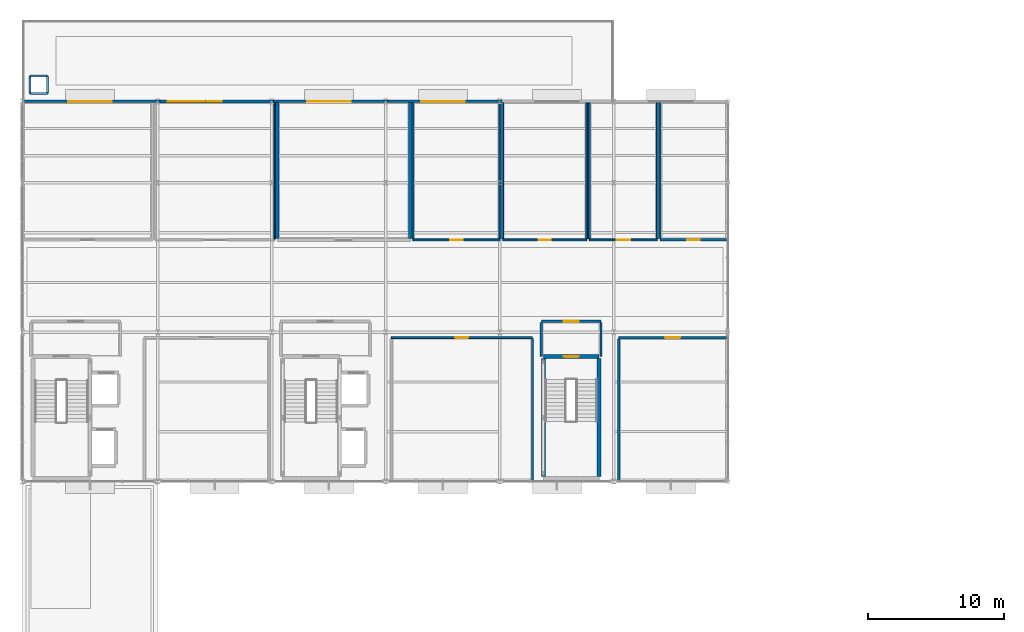
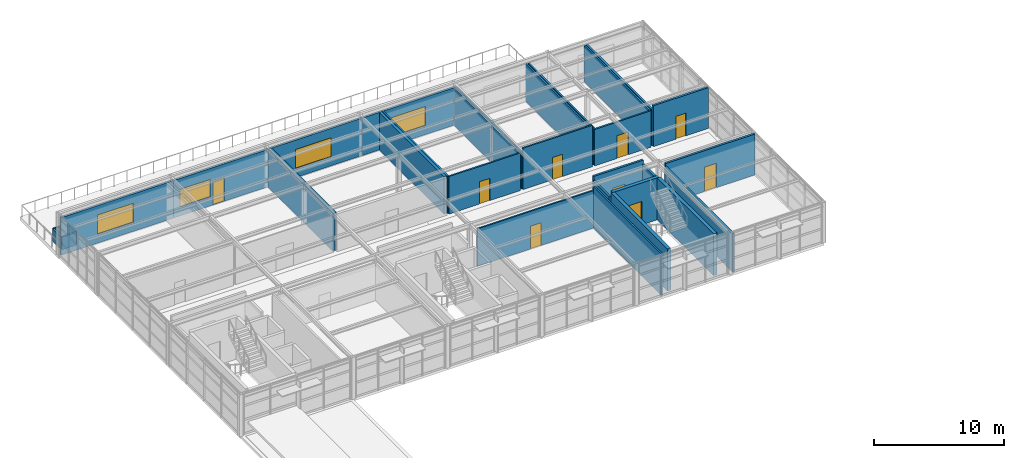
# One storey, part 18 of 21: 32 walls, 9 doors, 4 windows, 13 openings.
"""IFC4 building model written with IfcOpenShell, lengths in metres."""

from ifc_helpers import new_model, si_unit, direction, frame, frame_2d, origin, place, context, subcontext, project, spatial, rectangle, extrude, material, layer, layer_set, type_object, element, fill, save


model = new_model("IFC4")

# Units and contexts
model_context = context("Model", 3, precision=1e-05, world=origin(), true_north=direction((0.0, 1.0)))
body_context = subcontext(model_context, "Body", "Model", "MODEL_VIEW")
ifc_project = project(units=[si_unit("LENGTHUNIT", "METRE"), si_unit("AREAUNIT", "SQUARE_METRE"), si_unit("VOLUMEUNIT", "CUBIC_METRE"), si_unit("PLANEANGLEUNIT", "RADIAN"), si_unit("MASSUNIT", "GRAM", prefix="KILO")], contexts=[model_context])

# Site, building, storey
site_placement = place(None, origin())
site = spatial("IfcSite", under=ifc_project, at=site_placement, CompositionType="ELEMENT")
building_placement = place(site_placement, origin())
building = spatial("IfcBuilding", under=site, at=building_placement, Name="Sitalva Quay Ferry Terminal", CompositionType="ELEMENT")
storey_placement = place(building_placement, frame((0.0, 0.0, 14.39990234375)))
storey = spatial("IfcBuildingStorey", under=building, at=storey_placement, Name="L04", CompositionType="ELEMENT", Elevation=14.39990234375)

# Wall, opening, door
ifc_material_1 = material(Name="Concrete C40/50", Category="concrete")
ifc_layer_1 = layer(ifc_material_1, 0.300048828125)
ifc_layer_set_1 = layer_set([ifc_layer_1], Name="Concrete C40/50")
wall_type_1 = type_object("IfcWallType", Name="Wall_CoreShear_300", PredefinedType="SHEAR", material=ifc_layer_set_1)
wall_1_placement = place(storey_placement, frame((112.39990234375, 87.199951171875, 0.0), z_axis=(0.0, 0.0, 1.0), x_axis=(1.0, 0.0, 0.0)))
wall_1 = element("IfcWall", 1, at=wall_1_placement, inside=storey, type_object=wall_type_1, Name="Core C4 L04 north shear wall", PredefinedType="SHEAR", context=body_context, shape_type="SweptSolid", body=[
    extrude(rectangle(XDim=4.10009765625, YDim=0.300048828125, at=frame_2d((2.050048828125, 0.0))), origin(), (0.0, 0.0, 1.0), 3.9501953125),
])
opening_1_placement = place(wall_1_placement, frame((1.5, 0.0, 0.0)))
opening_1 = element("IfcOpeningElement", 2, at=opening_1_placement, cuts=wall_1, Name="Opening D-L04-014", PredefinedType="OPENING", context=body_context, shape_type="SweptSolid", body=[
    extrude(rectangle(XDim=1.10009765625, YDim=2.199951171875, at=frame_2d((0.550048828125, 1.10009765625))), frame((0.0, 0.159912109375, 0.0), z_axis=(0.0, -1.0, 0.0), x_axis=(1.0, 0.0, 0.0)), (0.0, 0.0, 1.0), 0.320068359375),
])
ifc_material_2 = material(Name="Galvanised Steel Fire Door", Category="steel")
door_type_1 = type_object("IfcDoorType", Name="Door_CoreExit_1100x2200", OperationType="SINGLE_SWING_LEFT", PredefinedType="DOOR", material=ifc_material_2)
door_1_placement = place(opening_1_placement, origin())
door_1 = element("IfcDoor", 3, at=door_1_placement, inside=storey, type_object=door_type_1, Name="DOOR-D-L04-014 Protected stair ST-04 door D-L04-014", OperationType="SINGLE_SWING_RIGHT", OverallHeight=2.199951171875, OverallWidth=1.10009765625, PredefinedType="DOOR", context=body_context, shape_type="SweptSolid", body=[
    extrude(rectangle(XDim=1.10009765625, YDim=2.199951171875, at=frame_2d((0.550048828125, 1.10009765625))), frame((0.0, 0.02490234375, 0.0), z_axis=(0.0, -1.0, 0.0), x_axis=(1.0, 0.0, 0.0)), (0.0, 0.0, 1.0), 0.050048828125),
])
fill(opening_1, door_1)

# Walls
for number, where, z_axis, x_axis, name in (
    (4, (112.39990234375, 78.35009765625, 0.0), (0.0, 0.0, 1.0), (0.0, 1.0, 0.0), "Core C4 L04 west shear wall"),
    (5, (116.5, 78.35009765625, 0.0), (0.0, 0.0, 1.0), (0.0, 1.0, 0.0), "Core C4 L04 east shear wall"),
):
    element("IfcWall", number, at=place(storey_placement, frame(where, z_axis=z_axis, x_axis=x_axis)), inside=storey, type_object=wall_type_1, Name=name, PredefinedType="SHEAR", context=body_context, shape_type="SweptSolid", body=[
        extrude(rectangle(XDim=8.699951171875, YDim=0.300048828125, at=frame_2d((4.35009765625, 0.0))), origin(), (0.0, 0.0, 1.0), 3.9501953125),
    ])

# Wall, opening, window
ifc_material_3 = material(Name="Architectural Concrete C40/50", Category="concrete")
ifc_layer_2 = layer(ifc_material_3, 0.18994140625)
ifc_layer_set_2 = layer_set([ifc_layer_2], Name="Architectural Concrete C40/50")
wall_type_2 = type_object("IfcWallType", Name="Wall_ExtSpandrel_190", PredefinedType="SOLIDWALL", material=ifc_layer_set_2)
wall_2_placement = place(storey_placement, frame((74.137939453125, 106.0, 0.0), z_axis=(0.0, 0.0, 1.0), x_axis=(1.0, 0.0, 0.0)))
wall_2 = element("IfcWall", 6, at=wall_2_placement, inside=storey, type_object=wall_type_2, Name="L04 pilotage north ribbon facade EW-L04-183", PredefinedType="SOLIDWALL", context=body_context, shape_type="SweptSolid", body=[
    extrude(rectangle(XDim=10.011962890625, YDim=0.18994140625, at=frame_2d((5.005859375, 0.0))), origin(), (0.0, 0.0, 1.0), 3.531005859375),
])
opening_2_placement = place(wall_2_placement, frame((3.261962890625, 0.0, 0.85009765625)))
opening_2 = element("IfcOpeningElement", 7, at=opening_2_placement, cuts=wall_2, Name="Opening WN-L04-069", PredefinedType="OPENING", context=body_context, shape_type="SweptSolid", body=[
    extrude(rectangle(XDim=3.199951171875, YDim=1.800048828125, at=frame_2d((1.60009765625, 0.89990234375))), frame((0.0, 0.10498046875, 0.0), z_axis=(0.0, -1.0, 0.0), x_axis=(1.0, 0.0, 0.0)), (0.0, 0.0, 1.0), 0.2099609375),
])
ifc_material_4 = material(Name="Anti-Glare Marine Bridge Glazing", Category="glass")
window_type_1 = type_object("IfcWindowType", Name="Win_VTS_3200x1800", PartitioningType="SINGLE_PANEL", PredefinedType="WINDOW", material=ifc_material_4)
window_1_placement = place(opening_2_placement, origin())
window_1 = element("IfcWindow", 8, at=window_1_placement, inside=storey, type_object=window_type_1, Name="L04 radar/pilotage north window WN-L04-069", OverallHeight=1.800048828125, OverallWidth=3.199951171875, PartitioningType="SINGLE_PANEL", PredefinedType="WINDOW", context=body_context, shape_type="SweptSolid", body=[
    extrude(rectangle(XDim=3.199951171875, YDim=1.800048828125, at=frame_2d((1.60009765625, 0.89990234375))), frame((0.0, 0.030029296875, 0.0), z_axis=(0.0, -1.0, 0.0), x_axis=(1.0, 0.0, 0.0)), (0.0, 0.0, 1.0), 0.06005859375),
])
fill(opening_2, window_1)

wall_3_placement = place(storey_placement, frame((92.5380859375, 106.0, 0.0), z_axis=(0.0, 0.0, 1.0), x_axis=(1.0, 0.0, 0.0)))
wall_3 = element("IfcWall", 9, at=wall_3_placement, inside=storey, type_object=wall_type_2, Name="L04 pilotage north ribbon facade EW-L04-185", PredefinedType="SOLIDWALL", context=body_context, shape_type="SweptSolid", body=[
    extrude(rectangle(XDim=8.411865234375, YDim=0.18994140625, at=frame_2d((4.2060546875, 0.0))), origin(), (0.0, 0.0, 1.0), 3.531005859375),
])
opening_3_placement = place(wall_3_placement, frame((2.4619140625, 0.0, 0.85009765625)))
opening_3 = element("IfcOpeningElement", 10, at=opening_3_placement, cuts=wall_3, Name="Opening WN-L04-071", PredefinedType="OPENING", context=body_context, shape_type="SweptSolid", body=[
    extrude(rectangle(XDim=3.199951171875, YDim=1.800048828125, at=frame_2d((1.60009765625, 0.89990234375))), frame((0.0, 0.10498046875, 0.0), z_axis=(0.0, -1.0, 0.0), x_axis=(1.0, 0.0, 0.0)), (0.0, 0.0, 1.0), 0.2099609375),
])
window_2_placement = place(opening_3_placement, origin())
window_2 = element("IfcWindow", 11, at=window_2_placement, inside=storey, type_object=window_type_1, Name="L04 radar/pilotage north window WN-L04-071", OverallHeight=1.800048828125, OverallWidth=3.199951171875, PartitioningType="SINGLE_PANEL", PredefinedType="WINDOW", context=body_context, shape_type="SweptSolid", body=[
    extrude(rectangle(XDim=3.199951171875, YDim=1.800048828125, at=frame_2d((1.60009765625, 0.89990234375))), frame((0.0, 0.030029296875, 0.0), z_axis=(0.0, -1.0, 0.0), x_axis=(1.0, 0.0, 0.0)), (0.0, 0.0, 1.0), 0.06005859375),
])
fill(opening_3, window_2)

wall_4_placement = place(storey_placement, frame((100.93798828125, 106.0, 0.0), z_axis=(0.0, 0.0, 1.0), x_axis=(1.0, 0.0, 0.0)))
wall_4 = element("IfcWall", 12, at=wall_4_placement, inside=storey, type_object=wall_type_2, Name="L04 pilotage north ribbon facade EW-L04-186", PredefinedType="SOLIDWALL", context=body_context, shape_type="SweptSolid", body=[
    extrude(rectangle(XDim=8.412109375, YDim=0.18994140625, at=frame_2d((4.2060546875, 0.0))), origin(), (0.0, 0.0, 1.0), 3.531005859375),
])
opening_4_placement = place(wall_4_placement, frame((2.4619140625, 0.0, 0.85009765625)))
opening_4 = element("IfcOpeningElement", 13, at=opening_4_placement, cuts=wall_4, Name="Opening WN-L04-072", PredefinedType="OPENING", context=body_context, shape_type="SweptSolid", body=[
    extrude(rectangle(XDim=3.199951171875, YDim=1.800048828125, at=frame_2d((1.60009765625, 0.89990234375))), frame((0.0, 0.10498046875, 0.0), z_axis=(0.0, -1.0, 0.0), x_axis=(1.0, 0.0, 0.0)), (0.0, 0.0, 1.0), 0.2099609375),
])
window_3_placement = place(opening_4_placement, origin())
window_3 = element("IfcWindow", 14, at=window_3_placement, inside=storey, type_object=window_type_1, Name="L04 radar/pilotage north window WN-L04-072", OverallHeight=1.800048828125, OverallWidth=3.199951171875, PartitioningType="SINGLE_PANEL", PredefinedType="WINDOW", context=body_context, shape_type="SweptSolid", body=[
    extrude(rectangle(XDim=3.199951171875, YDim=1.800048828125, at=frame_2d((1.60009765625, 0.89990234375))), frame((0.0, 0.030029296875, 0.0), z_axis=(0.0, -1.0, 0.0), x_axis=(1.0, 0.0, 0.0)), (0.0, 0.0, 1.0), 0.06005859375),
])
fill(opening_4, window_3)

# Wall, openings, door, window
ifc_material_5 = material(Name="Architectural Concrete C40/50", Category="concrete")
ifc_layer_3 = layer(ifc_material_5, 0.205078125)
ifc_layer_set_3 = layer_set([ifc_layer_3], Name="Architectural Concrete C40/50")
wall_type_3 = type_object("IfcWallType", Name="Wall_ExtTerrace_205", PredefinedType="SOLIDWALL", material=ifc_layer_set_3)
wall_5_placement = place(storey_placement, frame((84.137939453125, 106.0, 0.0), z_axis=(0.0, 0.0, 1.0), x_axis=(1.0, 0.0, 0.0)))
wall_5 = element("IfcWall", 15, at=wall_5_placement, inside=storey, type_object=wall_type_3, Name="L04 north roof-garden portal wall EW-L04-184", PredefinedType="SOLIDWALL", context=body_context, shape_type="SweptSolid", body=[
    extrude(rectangle(XDim=8.412109375, YDim=0.205078125, at=frame_2d((4.2060546875, 0.0))), origin(), (0.0, 0.0, 1.0), 3.531005859375),
])
opening_5_placement = place(wall_5_placement, frame((3.511962890625, 0.0, 0.0)))
opening_5 = element("IfcOpeningElement", 16, at=opening_5_placement, cuts=wall_5, Name="Opening ED-L04-042", PredefinedType="OPENING", context=body_context, shape_type="SweptSolid", body=[
    extrude(rectangle(XDim=1.050048828125, YDim=2.199951171875, at=frame_2d((0.52490234375, 1.10009765625))), frame((0.0, 0.112548828125, 0.0), z_axis=(0.0, -1.0, 0.0), x_axis=(1.0, 0.0, 0.0)), (0.0, 0.0, 1.0), 0.22509765625),
])
opening_6_placement = place(wall_5_placement, frame((0.612060546875, 0.0, 0.85009765625)))
opening_6 = element("IfcOpeningElement", 17, at=opening_6_placement, cuts=wall_5, Name="Opening WN-L04-070", PredefinedType="OPENING", context=body_context, shape_type="SweptSolid", body=[
    extrude(rectangle(XDim=2.699951171875, YDim=1.64990234375, at=frame_2d((1.35009765625, 0.824951171875))), frame((0.0, 0.112548828125, 0.0), z_axis=(0.0, -1.0, 0.0), x_axis=(1.0, 0.0, 0.0)), (0.0, 0.0, 1.0), 0.22509765625),
])
ifc_material_6 = material(Name="Anodised Aluminium & Low-E Glass", Category="aluminium")
door_type_2 = type_object("IfcDoorType", Name="Door_TerraceSingle_1050x2200", OperationType="SINGLE_SWING_LEFT", PredefinedType="DOOR", material=ifc_material_6)
door_2_placement = place(opening_5_placement, origin())
door_2 = element("IfcDoor", 18, at=door_2_placement, inside=storey, type_object=door_type_2, Name="EDOOR-ED-L04-042 L04 north roof garden access door ED-L04-042", OperationType="SINGLE_SWING_LEFT", OverallHeight=2.199951171875, OverallWidth=1.050048828125, PredefinedType="DOOR", context=body_context, shape_type="SweptSolid", body=[
    extrude(rectangle(XDim=1.050048828125, YDim=2.199951171875, at=frame_2d((0.52490234375, 1.10009765625))), frame((0.0, 0.02490234375, 0.0), z_axis=(0.0, -1.0, 0.0), x_axis=(1.0, 0.0, 0.0)), (0.0, 0.0, 1.0), 0.050048828125),
])
fill(opening_5, door_2)
ifc_material_7 = material(Name="Anti-Glare Marine Bridge Glazing", Category="glass")
window_type_2 = type_object("IfcWindowType", Name="Win_Pilot_2700x1650", PartitioningType="SINGLE_PANEL", PredefinedType="WINDOW", material=ifc_material_7)
window_4_placement = place(opening_6_placement, origin())
window_4 = element("IfcWindow", 19, at=window_4_placement, inside=storey, type_object=window_type_2, Name="L04 pilot lounge north window WN-L04-070", OverallHeight=1.64990234375, OverallWidth=2.699951171875, PartitioningType="SINGLE_PANEL", PredefinedType="WINDOW", context=body_context, shape_type="SweptSolid", body=[
    extrude(rectangle(XDim=2.699951171875, YDim=1.64990234375, at=frame_2d((1.35009765625, 0.824951171875))), frame((0.0, 0.030029296875, 0.0), z_axis=(0.0, -1.0, 0.0), x_axis=(1.0, 0.0, 0.0)), (0.0, 0.0, 1.0), 0.06005859375),
])
fill(opening_6, window_4)

# Wall, opening, door
ifc_material_8 = material(Name="Fire-Rated Blockwork C25/30", Category="masonry")
ifc_layer_4 = layer(ifc_material_8, 0.179931640625)
ifc_layer_set_4 = layer_set([ifc_layer_4], Name="Fire-Rated Blockwork C25/30")
wall_type_4 = type_object("IfcWallType", Name="Wall_FireLobby_180", PredefinedType="SOLIDWALL", material=ifc_layer_set_4)
wall_6_placement = place(storey_placement, frame((112.25, 89.800048828125, 0.0), z_axis=(0.0, 0.0, 1.0), x_axis=(1.0, 0.0, 0.0)))
wall_6 = element("IfcWall", 20, at=wall_6_placement, inside=storey, type_object=wall_type_4, Name="Firefighting & Lift Lobby C4 N wall IW-L04-0040", PredefinedType="SOLIDWALL", context=body_context, shape_type="SweptSolid", body=[
    extrude(rectangle(XDim=4.39990234375, YDim=0.179931640625, at=frame_2d((2.199951171875, 0.0))), origin(), (0.0, 0.0, 1.0), 3.900146484375),
])
opening_7_placement = place(wall_6_placement, frame((1.64990234375, 0.0, 0.0)))
opening_7 = element("IfcOpeningElement", 21, at=opening_7_placement, cuts=wall_6, Name="Opening ID-L04-014", PredefinedType="OPENING", context=body_context, shape_type="SweptSolid", body=[
    extrude(rectangle(XDim=1.10009765625, YDim=2.199951171875, at=frame_2d((0.550048828125, 1.10009765625))), frame((0.0, 0.099853515625, 0.0), z_axis=(0.0, -1.0, 0.0), x_axis=(1.0, 0.0, 0.0)), (0.0, 0.0, 1.0), 0.199951171875),
])
ifc_material_9 = material(Name="Steel Fire Door", Category="steel")
door_type_3 = type_object("IfcDoorType", Name="Door_FireLobby_1100x2200", OperationType="SINGLE_SWING_LEFT", PredefinedType="DOOR", material=ifc_material_9)
door_3_placement = place(opening_7_placement, origin())
door_3 = element("IfcDoor", 22, at=door_3_placement, inside=storey, type_object=door_type_3, Name="IDOOR-ID-L04-014 Firefighting & Lift Lobby C4 entrance ID-L04-014", OperationType="SINGLE_SWING_RIGHT", OverallHeight=2.199951171875, OverallWidth=1.10009765625, PredefinedType="DOOR", context=body_context, shape_type="SweptSolid", body=[
    extrude(rectangle(XDim=1.10009765625, YDim=2.199951171875, at=frame_2d((0.550048828125, 1.10009765625))), frame((0.0, 0.02490234375, 0.0), z_axis=(0.0, -1.0, 0.0), x_axis=(1.0, 0.0, 0.0)), (0.0, 0.0, 1.0), 0.050048828125),
])
fill(opening_7, door_3)

# Walls
for number, where, z_axis, x_axis, name in (
    (23, (112.25, 87.199951171875, 0.0), (0.0, 0.0, 1.0), (0.0, 1.0, 0.0), "Firefighting & Lift Lobby C4 W wall IW-L04-0041"),
    (24, (116.64990234375, 87.199951171875, 0.0), (0.0, 0.0, 1.0), (0.0, 1.0, 0.0), "Firefighting & Lift Lobby C4 E wall IW-L04-0042"),
):
    element("IfcWall", number, at=place(storey_placement, frame(where, z_axis=z_axis, x_axis=x_axis)), inside=storey, type_object=wall_type_4, Name=name, PredefinedType="SOLIDWALL", context=body_context, shape_type="SweptSolid", body=[
        extrude(rectangle(XDim=2.510009765625, YDim=0.179931640625, at=frame_2d((1.2548828125, 0.0))), origin(), (0.0, 0.0, 1.0), 3.533203125),
    ])

# Wall, opening, door
wall_7_placement = place(storey_placement, frame((121.0, 95.800048828125, 0.0), z_axis=(0.0, 0.0, 1.0), x_axis=(1.0, 0.0, 0.0)))
wall_7 = element("IfcWall", 25, at=wall_7_placement, inside=storey, type_object=wall_type_4, Name="Navigation Beacon & Spare Parts Store S wall IW-L04-0326", PredefinedType="SOLIDWALL", context=body_context, shape_type="SweptSolid", body=[
    extrude(rectangle(XDim=4.919921875, YDim=0.179931640625, at=frame_2d((2.4599609375, 0.0))), origin(), (0.0, 0.0, 1.0), 3.85009765625),
])
opening_8_placement = place(wall_7_placement, frame((2.010009765625, 0.0, 0.0)))
opening_8 = element("IfcOpeningElement", 26, at=opening_8_placement, cuts=wall_7, Name="Opening ID-L04-114", PredefinedType="OPENING", context=body_context, shape_type="SweptSolid", body=[
    extrude(rectangle(XDim=0.89990234375, YDim=2.14990234375, at=frame_2d((0.449951171875, 1.074951171875))), frame((0.0, 0.099853515625, 0.0), z_axis=(0.0, -1.0, 0.0), x_axis=(1.0, 0.0, 0.0)), (0.0, 0.0, 1.0), 0.199951171875),
])
ifc_material_10 = material(Name="Painted Timber Fire Door", Category="wood")
door_type_4 = type_object("IfcDoorType", Name="Door_Store_900x2150", OperationType="SINGLE_SWING_RIGHT", PredefinedType="DOOR", material=ifc_material_10)
door_4_placement = place(opening_8_placement, origin())
door_4 = element("IfcDoor", 27, at=door_4_placement, inside=storey, type_object=door_type_4, Name="IDOOR-ID-L04-114 Navigation Beacon & Spare Parts Store entrance ID-L04-114", OperationType="SINGLE_SWING_RIGHT", OverallHeight=2.14990234375, OverallWidth=0.89990234375, PredefinedType="DOOR", context=body_context, shape_type="SweptSolid", body=[
    extrude(rectangle(XDim=0.89990234375, YDim=2.14990234375, at=frame_2d((0.449951171875, 1.074951171875))), frame((0.0, 0.02490234375, 0.0), z_axis=(0.0, -1.0, 0.0), x_axis=(1.0, 0.0, 0.0)), (0.0, 0.0, 1.0), 0.050048828125),
])
fill(opening_8, door_4)

# Walls
wall_8_placement = place(storey_placement, frame((121.0, 95.889892578125, 0.0), z_axis=(0.0, 0.0, 1.0), x_axis=(0.0, 1.0, 0.0)))
element("IfcWall", 28, at=wall_8_placement, inside=storey, type_object=wall_type_4, Name="Navigation Beacon & Spare Parts Store W wall IW-L04-0327", PredefinedType="SOLIDWALL", context=body_context, shape_type="SweptSolid", body=[
    extrude(rectangle(XDim=10.030029296875, YDim=0.179931640625, at=frame_2d((5.01513671875, 0.0))), origin(), (0.0, 0.0, 1.0), 3.440185546875),
])
ifc_material_11 = material(Name="Framed Acoustic Glass Partition", Category="glass")
ifc_layer_5 = layer(ifc_material_11, 0.10009765625)
ifc_layer_set_5 = layer_set([ifc_layer_5], Name="Framed Acoustic Glass Partition")
wall_type_5 = type_object("IfcWallType", Name="Wall_GlazedScreen_100", PredefinedType="MOVABLE", material=ifc_layer_set_5)
wall_9_placement = place(storey_placement, frame((92.60009765625, 95.85009765625, 0.0), z_axis=(0.0, 0.0, 1.0), x_axis=(0.0, 1.0, 0.0)))
element("IfcWall", 29, at=wall_9_placement, inside=storey, type_object=wall_type_5, Name="River Pilots Briefing & Garden Lounge E wall IW-L04-0311", PredefinedType="MOVABLE", context=body_context, shape_type="SweptSolid", body=[
    extrude(rectangle(XDim=10.06982421875, YDim=0.10009765625, at=frame_2d((5.034912109375, 0.0))), origin(), (0.0, 0.0, 1.0), 3.533203125),
])

# Wall, opening, door
ifc_material_12 = material(Name="Acoustic Double-Board Gypsum Partition", Category="gypsum")
ifc_layer_6 = layer(ifc_material_12, 0.135009765625)
ifc_layer_set_6 = layer_set([ifc_layer_6], Name="Acoustic Double-Board Gypsum Partition")
wall_type_6 = type_object("IfcWallType", Name="Wall_Partition_135", PredefinedType="PARTITIONING", material=ifc_layer_set_6)
wall_10_placement = place(storey_placement, frame((101.199951171875, 88.60009765625, 0.0), z_axis=(0.0, 0.0, 1.0), x_axis=(1.0, 0.0, 0.0)))
wall_10 = element("IfcWall", 30, at=wall_10_placement, inside=storey, type_object=wall_type_6, Name="Monsoon Meteorology & Flood Forecasting Lab N wall IW-L04-0304", PredefinedType="PARTITIONING", context=body_context, shape_type="SweptSolid", body=[
    extrude(rectangle(XDim=10.400146484375, YDim=0.135009765625, at=frame_2d((5.2001953125, 0.0))), origin(), (0.0, 0.0, 1.0), 3.5400390625),
])
opening_9_placement = place(wall_10_placement, frame((4.72509765625, 0.0, 0.0)))
opening_9 = element("IfcOpeningElement", 31, at=opening_9_placement, cuts=wall_10, Name="Opening ID-L04-106", PredefinedType="OPENING", context=body_context, shape_type="SweptSolid", body=[
    extrude(rectangle(XDim=0.949951171875, YDim=2.14990234375, at=frame_2d((0.47509765625, 1.074951171875))), frame((0.0, 0.077392578125, 0.0), z_axis=(0.0, -1.0, 0.0), x_axis=(1.0, 0.0, 0.0)), (0.0, 0.0, 1.0), 0.155029296875),
])
ifc_material_13 = material(Name="Hardwood Acoustic Veneer Door", Category="wood")
door_type_5 = type_object("IfcDoorType", Name="Door_Office_950x2150", OperationType="SINGLE_SWING_LEFT", PredefinedType="DOOR", material=ifc_material_13)
door_5_placement = place(opening_9_placement, origin())
door_5 = element("IfcDoor", 32, at=door_5_placement, inside=storey, type_object=door_type_5, Name="IDOOR-ID-L04-106 Monsoon Meteorology & Flood Forecasting Lab entrance ID-L04-106", OperationType="SINGLE_SWING_RIGHT", OverallHeight=2.14990234375, OverallWidth=0.949951171875, PredefinedType="DOOR", context=body_context, shape_type="SweptSolid", body=[
    extrude(rectangle(XDim=0.949951171875, YDim=2.14990234375, at=frame_2d((0.47509765625, 1.074951171875))), frame((0.0, 0.02490234375, 0.0), z_axis=(0.0, -1.0, 0.0), x_axis=(1.0, 0.0, 0.0)), (0.0, 0.0, 1.0), 0.050048828125),
])
fill(opening_9, door_5)

# Walls
wall_11_placement = place(storey_placement, frame((111.60009765625, 78.080078125, 0.0), z_axis=(0.0, 0.0, 1.0), x_axis=(0.0, 1.0, 0.0)))
element("IfcWall", 33, at=wall_11_placement, inside=storey, type_object=wall_type_6, Name="Monsoon Meteorology & Flood Forecasting Lab E wall IW-L04-0306", PredefinedType="PARTITIONING", context=body_context, shape_type="SweptSolid", body=[
    extrude(rectangle(XDim=10.452392578125, YDim=0.135009765625, at=frame_2d((5.22607421875, 0.0))), origin(), (0.0, 0.0, 1.0), 3.900146484375),
])
ifc_material_14 = material(Name="High-Density Concrete C35/45", Category="concrete")
ifc_layer_7 = layer(ifc_material_14, 0.239990234375)
ifc_layer_set_7 = layer_set([ifc_layer_7], Name="High-Density Concrete C35/45")
wall_type_7 = type_object("IfcWallType", Name="Wall_PlantAcoustic_240", PredefinedType="SOLIDWALL", material=ifc_layer_set_7)
for number, where, z_axis, x_axis, name in (
    (34, (92.800048828125, 95.919921875, 0.0), (0.0, 0.0, 1.0), (0.0, 1.0, 0.0), "VHF/AIS Marine Radar Server Room W wall IW-L04-0315"),
    (35, (102.60009765625, 95.919921875, 0.0), (0.0, 0.0, 1.0), (0.0, 1.0, 0.0), "VHF/AIS Marine Radar Server Room E wall IW-L04-0316"),
):
    element("IfcWall", number, at=place(storey_placement, frame(where, z_axis=z_axis, x_axis=x_axis)), inside=storey, type_object=wall_type_7, Name=name, PredefinedType="SOLIDWALL", context=body_context, shape_type="SweptSolid", body=[
        extrude(rectangle(XDim=10.0, YDim=0.239990234375, at=frame_2d((5.0, 0.0))), origin(), (0.0, 0.0, 1.0), 3.533203125),
    ])
ifc_material_15 = material(Name="Concrete C35/45", Category="concrete")
ifc_layer_8 = layer(ifc_material_15, 0.14990234375)
ifc_layer_set_8 = layer_set([ifc_layer_8], Name="Concrete C35/45")
wall_type_8 = type_object("IfcWallType", Name="Wall_RiserShaft_150", PredefinedType="PLUMBINGWALL", material=ifc_layer_set_8)
for number, where, z_axis, x_axis, name in (
    (36, (74.574951171875, 106.574951171875, 0.0), (0.0, 0.0, 1.0), (1.0, 0.0, 0.0), "L04 service riser 011 wall S"),
    (37, (74.574951171875, 107.875, 0.0), (0.0, 0.0, 1.0), (1.0, 0.0, 0.0), "L04 service riser 011 wall N"),
    (38, (74.574951171875, 106.574951171875, 0.0), (0.0, 0.0, 1.0), (0.0, 1.0, 0.0), "L04 service riser 011 wall W"),
    (39, (75.875, 106.574951171875, 0.0), (0.0, 0.0, 1.0), (0.0, 1.0, 0.0), "L04 service riser 011 wall E"),
):
    element("IfcWall", number, at=place(storey_placement, frame(where, z_axis=z_axis, x_axis=x_axis)), inside=storey, type_object=wall_type_8, Name=name, PredefinedType="PLUMBINGWALL", context=body_context, shape_type="SweptSolid", body=[
        extrude(rectangle(XDim=1.300048828125, YDim=0.14990234375, at=frame_2d((0.64990234375, 0.0))), origin(), (0.0, 0.0, 1.0), 1.2001953125),
    ])

# Wall, opening, door
ifc_material_16 = material(Name="Concrete Blockwork C30/37", Category="masonry")
ifc_layer_9 = layer(ifc_material_16, 0.195068359375)
ifc_layer_set_9 = layer_set([ifc_layer_9], Name="Concrete Blockwork C30/37")
wall_type_9 = type_object("IfcWallType", Name="Wall_Security_195", PredefinedType="SOLIDWALL", material=ifc_layer_set_9)
wall_12_placement = place(storey_placement, frame((117.949951171875, 88.60009765625, 0.0), z_axis=(0.0, 0.0, 1.0), x_axis=(1.0, 0.0, 0.0)))
wall_12 = element("IfcWall", 40, at=wall_12_placement, inside=storey, type_object=wall_type_9, Name="River Police & Coast Guard Watch Room N wall IW-L04-0307", PredefinedType="SOLIDWALL", context=body_context, shape_type="SweptSolid", body=[
    extrude(rectangle(XDim=7.969970703125, YDim=0.195068359375, at=frame_2d((3.98486328125, 0.0))), origin(), (0.0, 0.0, 1.0), 3.85009765625),
])
opening_10_placement = place(wall_12_placement, frame((3.43505859375, 0.0, 0.0)))
opening_10 = element("IfcOpeningElement", 41, at=opening_10_placement, cuts=wall_12, Name="Opening ID-L04-107", PredefinedType="OPENING", context=body_context, shape_type="SweptSolid", body=[
    extrude(rectangle(XDim=1.10009765625, YDim=2.300048828125, at=frame_2d((0.550048828125, 1.14990234375))), frame((0.0, 0.107421875, 0.0), z_axis=(0.0, -1.0, 0.0), x_axis=(1.0, 0.0, 0.0)), (0.0, 0.0, 1.0), 0.215087890625),
])
ifc_material_17 = material(Name="Security Steel & Vision Panel Door", Category="steel")
door_type_6 = type_object("IfcDoorType", Name="Door_Customs_1100x2300", OperationType="SINGLE_SWING_LEFT", PredefinedType="DOOR", material=ifc_material_17)
door_6_placement = place(opening_10_placement, origin())
door_6 = element("IfcDoor", 42, at=door_6_placement, inside=storey, type_object=door_type_6, Name="IDOOR-ID-L04-107 River Police & Coast Guard Watch Room entrance ID-L04-107", OperationType="SINGLE_SWING_LEFT", OverallHeight=2.300048828125, OverallWidth=1.10009765625, PredefinedType="DOOR", context=body_context, shape_type="SweptSolid", body=[
    extrude(rectangle(XDim=1.10009765625, YDim=2.300048828125, at=frame_2d((0.550048828125, 1.14990234375))), frame((0.0, 0.02490234375, 0.0), z_axis=(0.0, -1.0, 0.0), x_axis=(1.0, 0.0, 0.0)), (0.0, 0.0, 1.0), 0.050048828125),
])
fill(opening_10, door_6)

# Wall
wall_13_placement = place(storey_placement, frame((117.949951171875, 78.080078125, 0.0), z_axis=(0.0, 0.0, 1.0), x_axis=(0.0, 1.0, 0.0)))
element("IfcWall", 43, at=wall_13_placement, inside=storey, type_object=wall_type_9, Name="River Police & Coast Guard Watch Room W wall IW-L04-0308", PredefinedType="SOLIDWALL", context=body_context, shape_type="SweptSolid", body=[
    extrude(rectangle(XDim=10.42236328125, YDim=0.195068359375, at=frame_2d((5.211181640625, 0.0))), origin(), (0.0, 0.0, 1.0), 3.588134765625),
])

# Wall, opening, door
ifc_material_18 = material(Name="Moisture-Resistant Cement Board Partition", Category="gypsum")
ifc_layer_10 = layer(ifc_material_18, 0.139892578125)
ifc_layer_set_10 = layer_set([ifc_layer_10], Name="Moisture-Resistant Cement Board Partition")
wall_type_10 = type_object("IfcWallType", Name="Wall_WetRoom_140", PredefinedType="PARTITIONING", material=ifc_layer_set_10)
wall_14_placement = place(storey_placement, frame((102.800048828125, 95.800048828125, 0.0), z_axis=(0.0, 0.0, 1.0), x_axis=(1.0, 0.0, 0.0)))
wall_14 = element("IfcWall", 44, at=wall_14_placement, inside=storey, type_object=wall_type_10, Name="L04 Male Toilets & Showers S wall IW-L04-0317", PredefinedType="PARTITIONING", context=body_context, shape_type="SweptSolid", body=[
    extrude(rectangle(XDim=6.39990234375, YDim=0.139892578125, at=frame_2d((3.199951171875, 0.0))), origin(), (0.0, 0.0, 1.0), 3.5400390625),
])
opening_11_placement = place(wall_14_placement, frame((2.75, 0.0, 0.0)))
opening_11 = element("IfcOpeningElement", 45, at=opening_11_placement, cuts=wall_14, Name="Opening ID-L04-111", PredefinedType="OPENING", context=body_context, shape_type="SweptSolid", body=[
    extrude(rectangle(XDim=0.89990234375, YDim=2.10009765625, at=frame_2d((0.449951171875, 1.050048828125))), frame((0.0, 0.079833984375, 0.0), z_axis=(0.0, -1.0, 0.0), x_axis=(1.0, 0.0, 0.0)), (0.0, 0.0, 1.0), 0.159912109375),
])
ifc_material_19 = material(Name="High-Pressure Laminate Door", Category="wood")
door_type_7 = type_object("IfcDoorType", Name="Door_WC_900x2100", OperationType="SINGLE_SWING_LEFT", PredefinedType="DOOR", material=ifc_material_19)
door_7_placement = place(opening_11_placement, origin())
door_7 = element("IfcDoor", 46, at=door_7_placement, inside=storey, type_object=door_type_7, Name="IDOOR-ID-L04-111 L04 Male Toilets & Showers entrance ID-L04-111", OperationType="SINGLE_SWING_LEFT", OverallHeight=2.10009765625, OverallWidth=0.89990234375, PredefinedType="DOOR", context=body_context, shape_type="SweptSolid", body=[
    extrude(rectangle(XDim=0.89990234375, YDim=2.10009765625, at=frame_2d((0.449951171875, 1.050048828125))), frame((0.0, 0.02490234375, 0.0), z_axis=(0.0, -1.0, 0.0), x_axis=(1.0, 0.0, 0.0)), (0.0, 0.0, 1.0), 0.050048828125),
])
fill(opening_11, door_7)

# Walls
for number, where, z_axis, x_axis, name in (
    (47, (102.800048828125, 95.8701171875, 0.0), (0.0, 0.0, 1.0), (0.0, 1.0, 0.0), "L04 Male Toilets & Showers W wall IW-L04-0318"),
    (48, (109.199951171875, 95.8701171875, 0.0), (0.0, 0.0, 1.0), (0.0, 1.0, 0.0), "L04 Male Toilets & Showers E wall IW-L04-0319"),
):
    element("IfcWall", number, at=place(storey_placement, frame(where, z_axis=z_axis, x_axis=x_axis)), inside=storey, type_object=wall_type_10, Name=name, PredefinedType="PARTITIONING", context=body_context, shape_type="SweptSolid", body=[
        extrude(rectangle(XDim=10.0498046875, YDim=0.139892578125, at=frame_2d((5.02490234375, 0.0))), origin(), (0.0, 0.0, 1.0), 3.533203125),
    ])

# Wall, opening, door
wall_15_placement = place(storey_placement, frame((109.39990234375, 95.800048828125, 0.0), z_axis=(0.0, 0.0, 1.0), x_axis=(1.0, 0.0, 0.0)))
wall_15 = element("IfcWall", 49, at=wall_15_placement, inside=storey, type_object=wall_type_10, Name="L04 Female Toilets & Showers S wall IW-L04-0320", PredefinedType="PARTITIONING", context=body_context, shape_type="SweptSolid", body=[
    extrude(rectangle(XDim=6.2001953125, YDim=0.139892578125, at=frame_2d((3.10009765625, 0.0))), origin(), (0.0, 0.0, 1.0), 3.900146484375),
])
opening_12_placement = place(wall_15_placement, frame((2.64990234375, 0.0, 0.0)))
opening_12 = element("IfcOpeningElement", 50, at=opening_12_placement, cuts=wall_15, Name="Opening ID-L04-112", PredefinedType="OPENING", context=body_context, shape_type="SweptSolid", body=[
    extrude(rectangle(XDim=0.89990234375, YDim=2.10009765625, at=frame_2d((0.449951171875, 1.050048828125))), frame((0.0, 0.079833984375, 0.0), z_axis=(0.0, -1.0, 0.0), x_axis=(1.0, 0.0, 0.0)), (0.0, 0.0, 1.0), 0.159912109375),
])
door_8_placement = place(opening_12_placement, origin())
door_8 = element("IfcDoor", 51, at=door_8_placement, inside=storey, type_object=door_type_7, Name="IDOOR-ID-L04-112 L04 Female Toilets & Showers entrance ID-L04-112", OperationType="SINGLE_SWING_RIGHT", OverallHeight=2.10009765625, OverallWidth=0.89990234375, PredefinedType="DOOR", context=body_context, shape_type="SweptSolid", body=[
    extrude(rectangle(XDim=0.89990234375, YDim=2.10009765625, at=frame_2d((0.449951171875, 1.050048828125))), frame((0.0, 0.02490234375, 0.0), z_axis=(0.0, -1.0, 0.0), x_axis=(1.0, 0.0, 0.0)), (0.0, 0.0, 1.0), 0.050048828125),
])
fill(opening_12, door_8)

# Walls
for number, where, z_axis, x_axis, name in (
    (52, (109.39990234375, 95.8701171875, 0.0), (0.0, 0.0, 1.0), (0.0, 1.0, 0.0), "L04 Female Toilets & Showers W wall IW-L04-0321"),
    (53, (115.60009765625, 95.8701171875, 0.0), (0.0, 0.0, 1.0), (0.0, 1.0, 0.0), "L04 Female Toilets & Showers E wall IW-L04-0322"),
):
    element("IfcWall", number, at=place(storey_placement, frame(where, z_axis=z_axis, x_axis=x_axis)), inside=storey, type_object=wall_type_10, Name=name, PredefinedType="PARTITIONING", context=body_context, shape_type="SweptSolid", body=[
        extrude(rectangle(XDim=10.0498046875, YDim=0.139892578125, at=frame_2d((5.02490234375, 0.0))), origin(), (0.0, 0.0, 1.0), 3.533203125),
    ])

# Wall, opening, door
wall_16_placement = place(storey_placement, frame((115.800048828125, 95.800048828125, 0.0), z_axis=(0.0, 0.0, 1.0), x_axis=(1.0, 0.0, 0.0)))
wall_16 = element("IfcWall", 54, at=wall_16_placement, inside=storey, type_object=wall_type_10, Name="L04 Accessible WC S wall IW-L04-0323", PredefinedType="PARTITIONING", context=body_context, shape_type="SweptSolid", body=[
    extrude(rectangle(XDim=5.0, YDim=0.139892578125, at=frame_2d((2.5, 0.0))), origin(), (0.0, 0.0, 1.0), 3.440185546875),
])
opening_13_placement = place(wall_16_placement, frame((2.0, 0.0, 0.0)))
opening_13 = element("IfcOpeningElement", 55, at=opening_13_placement, cuts=wall_16, Name="Opening ID-L04-113", PredefinedType="OPENING", context=body_context, shape_type="SweptSolid", body=[
    extrude(rectangle(XDim=1.0, YDim=2.14990234375, at=frame_2d((0.5, 1.074951171875))), frame((0.0, 0.079833984375, 0.0), z_axis=(0.0, -1.0, 0.0), x_axis=(1.0, 0.0, 0.0)), (0.0, 0.0, 1.0), 0.159912109375),
])
ifc_material_20 = material(Name="High-Pressure Laminate Accessible Door", Category="wood")
door_type_8 = type_object("IfcDoorType", Name="Door_AccWC_1000x2150", OperationType="SINGLE_SWING_RIGHT", PredefinedType="DOOR", material=ifc_material_20)
door_9_placement = place(opening_13_placement, origin())
door_9 = element("IfcDoor", 56, at=door_9_placement, inside=storey, type_object=door_type_8, Name="IDOOR-ID-L04-113 L04 Accessible WC entrance ID-L04-113", OperationType="SINGLE_SWING_LEFT", OverallHeight=2.14990234375, OverallWidth=1.0, PredefinedType="DOOR", context=body_context, shape_type="SweptSolid", body=[
    extrude(rectangle(XDim=1.0, YDim=2.14990234375, at=frame_2d((0.5, 1.074951171875))), frame((0.0, 0.02490234375, 0.0), z_axis=(0.0, -1.0, 0.0), x_axis=(1.0, 0.0, 0.0)), (0.0, 0.0, 1.0), 0.050048828125),
])
fill(opening_13, door_9)

# Walls
wall_17_placement = place(storey_placement, frame((115.800048828125, 95.8701171875, 0.0), z_axis=(0.0, 0.0, 1.0), x_axis=(0.0, 1.0, 0.0)))
element("IfcWall", 57, at=wall_17_placement, inside=storey, type_object=wall_type_10, Name="L04 Accessible WC W wall IW-L04-0324", PredefinedType="PARTITIONING", context=body_context, shape_type="SweptSolid", body=[
    extrude(rectangle(XDim=10.0498046875, YDim=0.139892578125, at=frame_2d((5.02490234375, 0.0))), origin(), (0.0, 0.0, 1.0), 3.533203125),
])
wall_18_placement = place(storey_placement, frame((120.800048828125, 95.8701171875, 0.0), z_axis=(0.0, 0.0, 1.0), x_axis=(0.0, 1.0, 0.0)))
element("IfcWall", 58, at=wall_18_placement, inside=storey, type_object=wall_type_10, Name="L04 Accessible WC E wall IW-L04-0325", PredefinedType="PARTITIONING", context=body_context, shape_type="SweptSolid", body=[
    extrude(rectangle(XDim=10.0498046875, YDim=0.139892578125, at=frame_2d((5.02490234375, 0.0))), origin(), (0.0, 0.0, 1.0), 3.440185546875),
])

save(model, "model.ifc")
